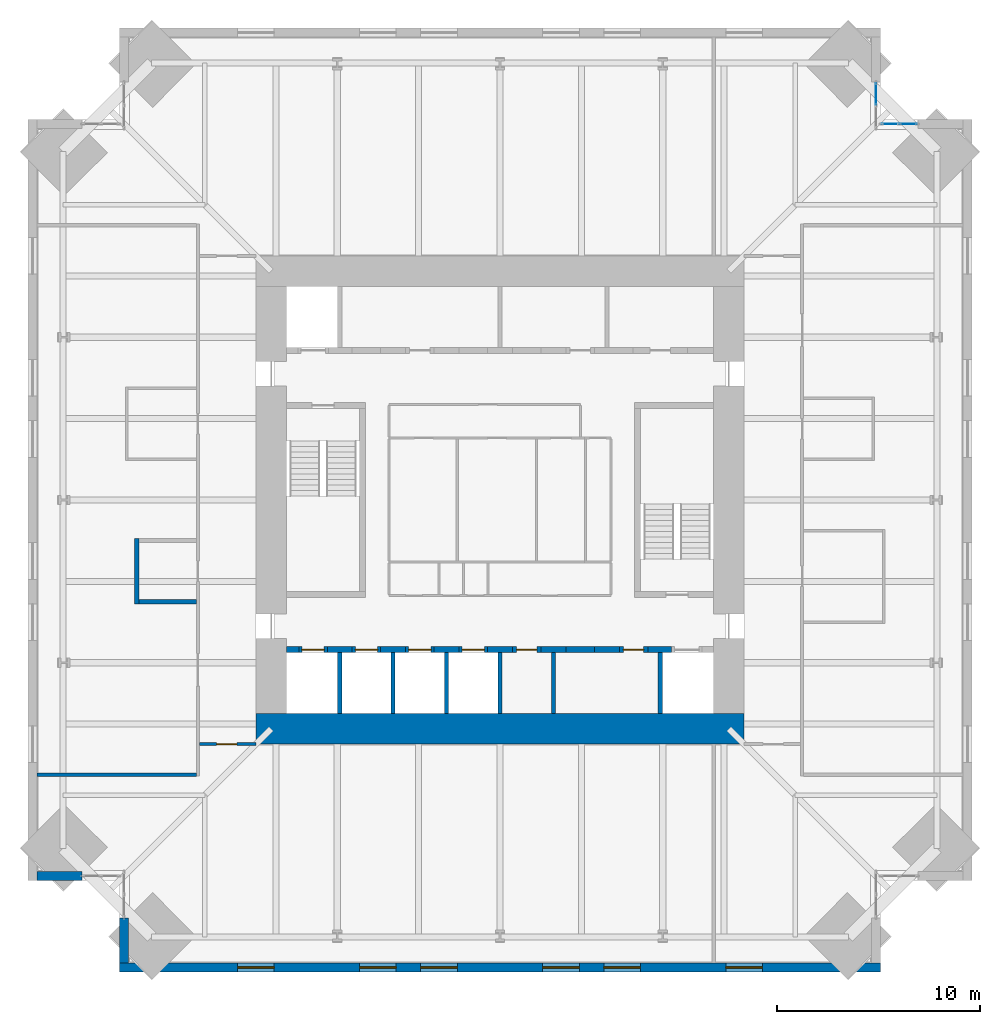
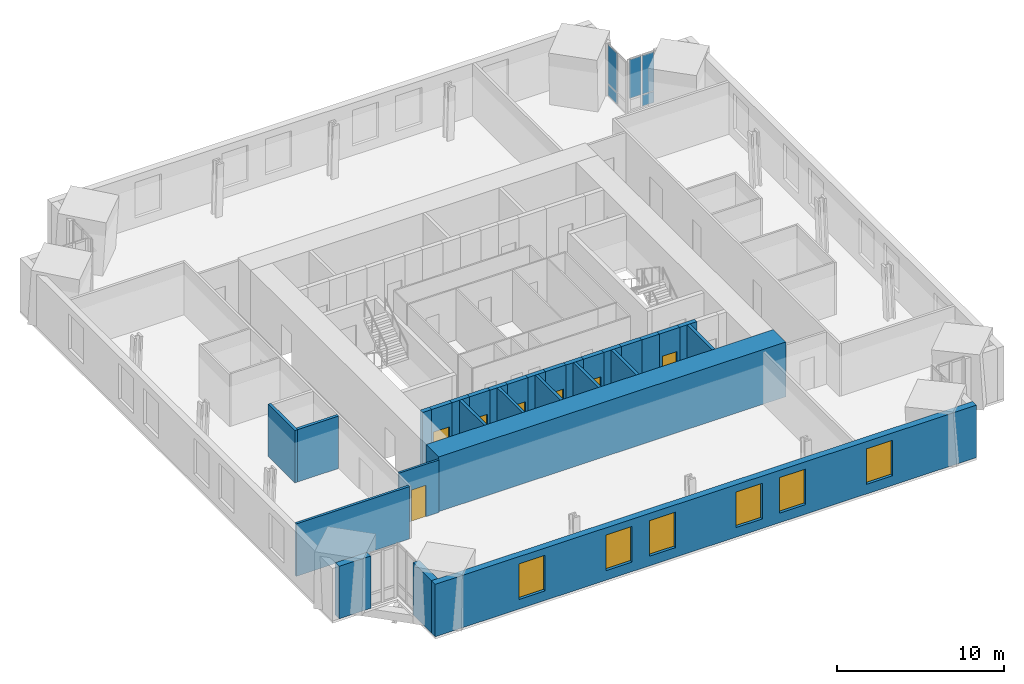
# One storey, part 10 of 15: 29 walls, 7 doors, 6 windows, 5 plates, 13 openings, 2 elements without a shape of their own.
"""IFC4 building model written with IfcOpenShell, lengths in metres."""

import ifcopenshell
import ifcopenshell.guid

model = None  # the IFC model being written
_history = None  # IfcOwnerHistory: only IFC2X3 demands one
_inside = {}  # id of a spatial element -> (the spatial element, [elements in it])
_under = {}  # id of a project, library or spatial element -> (it, [spatial elements below it])
_declared = {}  # id of a project -> (the project, [libraries it declares])
_typed = {}  # id of a type object -> (the type object, [elements of that type])
_made_of = {}  # id of a material, layer set ... -> (it, [elements and type objects made of it])


def new_model(schema):
    """Start an empty IFC model of exactly this schema.

    Asked for "IFC4X3", IfcOpenShell would pick the latest addendum, in which some entities
    have other attributes; the version numbers below select the first issue.
    IFC2X3 requires an IfcOwnerHistory on every rooted entity: one is made here for all.
    """
    global model, _history
    if schema == "IFC4X3":
        model = ifcopenshell.file(schema_version=(4, 3, 0, 0))
    else:
        model = ifcopenshell.file(schema=schema)
    _inside.clear()
    _under.clear()
    _declared.clear()
    _typed.clear()
    _made_of.clear()
    _history = None
    if model.schema == "IFC2X3":
        org = make("IfcOrganization", Name="unknown")
        user = make(
            "IfcPersonAndOrganization",
            ThePerson=make("IfcPerson", FamilyName="unknown"),
            TheOrganization=org,
        )
        app = make(
            "IfcApplication",
            ApplicationDeveloper=org,
            Version="unknown",
            ApplicationFullName="unknown",
            ApplicationIdentifier="unknown",
        )
        _history = make(
            "IfcOwnerHistory",
            OwningUser=user,
            OwningApplication=app,
            ChangeAction="ADDED",
            CreationDate=0,
        )
    return model


def make(cls, **values):
    """One entity of the class cls with the attributes given. An attribute that is None is left unset."""
    return model.create_entity(
        cls, **{name: value for name, value in values.items() if value is not None}
    )


def rooted(cls, **values):
    """An entity with a GlobalId (a new one), such as an element, a storey or a relation."""
    return make(cls, GlobalId=ifcopenshell.guid.new(), OwnerHistory=_history, **values)


def si_unit(unit_type, name, prefix=None):
    """IfcSIUnit, for example si_unit("LENGTHUNIT", "METRE", prefix="MILLI")."""
    return make("IfcSIUnit", UnitType=unit_type, Prefix=prefix, Name=name)


def assignment(units):
    """IfcUnitAssignment: the units of a project."""
    return None if units is None else make("IfcUnitAssignment", Units=units)


def point(xyz):
    """IfcCartesianPoint."""
    return None if xyz is None else make("IfcCartesianPoint", Coordinates=xyz)


def direction(xyz):
    """IfcDirection."""
    return None if xyz is None else make("IfcDirection", DirectionRatios=xyz)


def frame(location, z_axis=None, x_axis=None):
    """IfcAxis2Placement3D, a coordinate frame: its origin and axes. An axis left out is left unset."""
    return make(
        "IfcAxis2Placement3D",
        Location=point(location),
        Axis=direction(z_axis),
        RefDirection=direction(x_axis),
    )


def frame_2d(location, x_axis=None):
    """IfcAxis2Placement2D, a coordinate frame in the plane: its origin and x axis."""
    return make(
        "IfcAxis2Placement2D", Location=point(location), RefDirection=direction(x_axis)
    )


def origin():
    """The frame at (0, 0, 0) with its axes left unset."""
    return frame((0.0, 0.0, 0.0))


def origin_2d():
    """The frame at (0, 0) in the plane with its x axis left unset."""
    return frame_2d((0.0, 0.0))


def place(relative_to, where):
    """IfcLocalPlacement: puts the frame where relative to a parent placement (None: the world)."""
    return make(
        "IfcLocalPlacement", PlacementRelTo=relative_to, RelativePlacement=where
    )


def context(
    kind, dimensions, precision=None, world=None, true_north=None, identifier=None
):
    """IfcGeometricRepresentationContext, for example the 3D "Model" context."""
    return make(
        "IfcGeometricRepresentationContext",
        ContextIdentifier=identifier,
        ContextType=kind,
        CoordinateSpaceDimension=dimensions,
        Precision=precision,
        WorldCoordinateSystem=world,
        TrueNorth=true_north,
    )


def subcontext(parent, identifier, kind, view, scale=None):
    """IfcGeometricRepresentationSubContext, for example "Body" below "Model"."""
    return make(
        "IfcGeometricRepresentationSubContext",
        ContextIdentifier=identifier,
        ContextType=kind,
        ParentContext=parent,
        TargetScale=scale,
        TargetView=view,
    )


def project(units=None, contexts=None):
    """IfcProject with its units and contexts."""
    return rooted(
        "IfcProject",
        Name="project",
        RepresentationContexts=contexts,
        UnitsInContext=assignment(units),
    )


def spatial(cls, under=None, at=None, **own):
    """A site, building, storey or space (cls), placed at a placement, below another one or the project."""
    s = rooted(cls, ObjectPlacement=at, **own)
    if under is not None:
        _under.setdefault(under.id(), (under, []))[1].append(s)
    return s


def profile(cls, at=None, kind="AREA", **sizes):
    """A parametric profile (cls). Its sizes go by their IFC names, for example OverallWidth=200.0."""
    return make(cls, ProfileType=kind, Position=at, **sizes)


def rectangle(**sizes):
    """IfcRectangleProfileDef."""
    return profile("IfcRectangleProfileDef", **sizes)


def extrude(swept, where, along, depth):
    """IfcExtrudedAreaSolid: the profile swept, set in the frame where, extruded along a direction by depth."""
    return make(
        "IfcExtrudedAreaSolid",
        SweptArea=swept,
        Position=where,
        ExtrudedDirection=direction(along),
        Depth=depth,
    )


def shape(context_of_items, identifier, shape_type, items):
    """IfcShapeRepresentation: the items that make up one representation, for example the "Body"."""
    return make(
        "IfcShapeRepresentation",
        ContextOfItems=context_of_items,
        RepresentationIdentifier=identifier,
        RepresentationType=shape_type,
        Items=items,
    )


def material(Name=None, Category=None):
    """IfcMaterial."""
    return make("IfcMaterial", Name=Name, Category=Category)


def layer(
    of_material, thickness, ventilated=None, Name=None, Category=None, Priority=None
):
    """IfcMaterialLayer: one layer of a wall or slab, of a material (None: an air gap)."""
    return make(
        "IfcMaterialLayer",
        Material=of_material,
        LayerThickness=thickness,
        IsVentilated=ventilated,
        Name=Name,
        Category=Category,
        Priority=Priority,
    )


def layer_set(layers, Name=None):
    """IfcMaterialLayerSet."""
    return make("IfcMaterialLayerSet", MaterialLayers=layers, LayerSetName=Name)


def made_of(thing, what):
    """Note that an element or type object is made of a material, layer set ...; save() writes the relation."""
    if what is not None:
        _made_of.setdefault(what.id(), (what, []))[1].append(thing)
    return thing


def type_object(cls, material=None, **own):
    """A type object (cls), such as IfcWallType, which elements share."""
    return made_of(rooted(cls, **own), material)


def element(
    cls,
    number,
    at=None,
    inside=None,
    cuts=None,
    type_object=None,
    material=None,
    context=None,
    identifier="Body",
    shape_type=None,
    held_by="IfcProductDefinitionShape",
    body=None,
    shapes=None,
    **own,
):
    """One element of the class cls, such as IfcWall. Its Tag is "e" and its number.

    at: its placement. inside: the storey or other place that contains it. cuts: it is an
    opening in that element (IfcRelVoidsElement). A single representation is given by context,
    identifier, shape_type and body (its items); several are given by shapes. held_by: the class
    of the entity that holds the representations. save() writes the other relations.
    """
    e = rooted(cls, Tag="e%d" % number, ObjectPlacement=at, **own)
    if body is not None:
        shapes = [shape(context, identifier, shape_type, body)]
    if shapes is not None:
        e.Representation = make(held_by, Representations=shapes)
    if inside is not None:
        _inside.setdefault(inside.id(), (inside, []))[1].append(e)
    if cuts is not None:
        rooted(
            "IfcRelVoidsElement", RelatingBuildingElement=cuts, RelatedOpeningElement=e
        )
    if type_object is not None:
        _typed.setdefault(type_object.id(), (type_object, []))[1].append(e)
    return made_of(e, material)


def fill(opening, filler):
    """IfcRelFillsElement: the door or window that sits in an opening."""
    return rooted(
        "IfcRelFillsElement",
        RelatingOpeningElement=opening,
        RelatedBuildingElement=filler,
    )


def aggregate(whole, parts):
    """IfcRelAggregates: a whole, such as a stair, and the parts it consists of."""
    return rooted("IfcRelAggregates", RelatingObject=whole, RelatedObjects=parts)


def save(model, path):
    """Write the relations noted so far, then the file.

    IfcRelAggregates (storeys below a building ...), IfcRelContainedInSpatialStructure (elements
    in a storey), IfcRelDefinesByType, IfcRelAssociatesMaterial and IfcRelDeclares: one each for
    every whole, place, type object, material and project.
    """
    for whole, parts in _under.values():
        aggregate(whole, parts)
    for where, things in _inside.values():
        rooted(
            "IfcRelContainedInSpatialStructure",
            RelatedElements=things,
            RelatingStructure=where,
        )
    for kind, things in _typed.values():
        rooted("IfcRelDefinesByType", RelatedObjects=things, RelatingType=kind)
    for what, things in _made_of.values():
        rooted("IfcRelAssociatesMaterial", RelatedObjects=things, RelatingMaterial=what)
    for by, libraries in _declared.values():
        rooted("IfcRelDeclares", RelatingContext=by, RelatedDefinitions=libraries)
    model.write(path)


model = new_model("IFC4")

# Units and contexts
model_context = context("Model", 3, precision=1e-05, world=origin(), true_north=direction((0.0, 1.0)))
body_context = subcontext(model_context, "Body", "Model", "MODEL_VIEW")
ifc_project = project(units=[si_unit("LENGTHUNIT", "METRE"), si_unit("AREAUNIT", "SQUARE_METRE"), si_unit("VOLUMEUNIT", "CUBIC_METRE"), si_unit("PLANEANGLEUNIT", "RADIAN"), si_unit("MASSUNIT", "GRAM", prefix="KILO")], contexts=[model_context])

# Site, building, storey
site_placement = place(None, origin())
site = spatial("IfcSite", under=ifc_project, at=site_placement, CompositionType="ELEMENT")
building_placement = place(site_placement, origin())
building = spatial("IfcBuilding", under=site, at=building_placement, Name="Peilmerk Tower", CompositionType="ELEMENT")
storey_placement = place(building_placement, frame((0.0, 0.0, 233.800048828125)))
storey = spatial("IfcBuildingStorey", under=building, at=storey_placement, Name="L51", CompositionType="ELEMENT", Elevation=233.800048828125)

# Curtain wall, plates
ifc_material_1 = material(Name="Aluminium stick curtain wall", Category="aluminium")
curtain_wall_type = type_object("IfcCurtainWallType", Name="CW4 stick curtain wall, 2250 module", PredefinedType="NOTDEFINED", material=ifc_material_1)
curtain_wall_1_placement = place(storey_placement, origin())
curtain_wall_1 = element("IfcCurtainWall", 1, at=curtain_wall_1_placement, inside=storey, type_object=curtain_wall_type, Name="Curtain wall CW4 NEA L51", PredefinedType="NOTDEFINED")
ifc_material_2 = material(Name="Clear insulated glazing unit", Category="glass")
ifc_layer_1 = layer(ifc_material_2, 0.028076171875)
ifc_layer_set_1 = layer_set([ifc_layer_1], Name="Clear insulated glazing unit")
plate_type = type_object("IfcPlateType", Name="CW4-P 28 glazed panel", PredefinedType="CURTAIN_PANEL", material=ifc_layer_set_1)
plate_1_placement = place(storey_placement, frame((18.47509765625, 19.9501953125, 0.06494140625), z_axis=(0.0, 0.0, 1.0), x_axis=(0.0, 1.0, 0.0)))
plate_1 = element("IfcPlate", 2, at=plate_1_placement, type_object=plate_type, Name="CW4 panel 2.1", PredefinedType="CURTAIN_PANEL", context=body_context, shape_type="SweptSolid", body=[
    extrude(rectangle(XDim=1.046875, YDim=0.028076171875, at=origin_2d()), origin(), (0.0, 0.0, 1.0), 0.802490234375),
])
plate_2_placement = place(storey_placement, frame((18.47509765625, 19.9501953125, 0.932373046875), z_axis=(0.0, 0.0, 1.0), x_axis=(0.0, 1.0, 0.0)))
plate_2 = element("IfcPlate", 3, at=plate_2_placement, type_object=plate_type, Name="CW4 panel 2.2", PredefinedType="CURTAIN_PANEL", context=body_context, shape_type="SweptSolid", body=[
    extrude(rectangle(XDim=1.046875, YDim=0.028076171875, at=origin_2d()), origin(), (0.0, 0.0, 1.0), 2.83251953125),
])
aggregate(curtain_wall_1, [plate_1, plate_2])

curtain_wall_2_placement = place(storey_placement, origin())
curtain_wall_2 = element("IfcCurtainWall", 4, at=curtain_wall_2_placement, inside=storey, type_object=curtain_wall_type, Name="Curtain wall CW4 NEB L51", PredefinedType="NOTDEFINED")
plate_3_placement = place(storey_placement, frame((19.176025390625, 18.47509765625, 0.932373046875), z_axis=(0.0, 0.0, 1.0), x_axis=(1.0, 0.0, 0.0)))
plate_3 = element("IfcPlate", 5, at=plate_3_placement, type_object=plate_type, Name="CW4 panel 1.2", PredefinedType="CURTAIN_PANEL", context=body_context, shape_type="SweptSolid", body=[
    extrude(rectangle(XDim=0.82177734375, YDim=0.028076171875, at=origin_2d()), origin(), (0.0, 0.0, 1.0), 2.83251953125),
])
plate_4_placement = place(storey_placement, frame((20.062744140625, 18.47509765625, 0.06494140625), z_axis=(0.0, 0.0, 1.0), x_axis=(1.0, 0.0, 0.0)))
plate_4 = element("IfcPlate", 6, at=plate_4_placement, type_object=plate_type, Name="CW4 panel 2.1", PredefinedType="CURTAIN_PANEL", context=body_context, shape_type="SweptSolid", body=[
    extrude(rectangle(XDim=0.82177734375, YDim=0.028076171875, at=origin_2d()), origin(), (0.0, 0.0, 1.0), 0.802490234375),
])
plate_5_placement = place(storey_placement, frame((20.062744140625, 18.47509765625, 0.932373046875), z_axis=(0.0, 0.0, 1.0), x_axis=(1.0, 0.0, 0.0)))
plate_5 = element("IfcPlate", 7, at=plate_5_placement, type_object=plate_type, Name="CW4 panel 2.2", PredefinedType="CURTAIN_PANEL", context=body_context, shape_type="SweptSolid", body=[
    extrude(rectangle(XDim=0.82177734375, YDim=0.028076171875, at=origin_2d()), origin(), (0.0, 0.0, 1.0), 2.83251953125),
])
aggregate(curtain_wall_2, [plate_3, plate_4, plate_5])

# Wall, openings, windows
ifc_material_3 = material(Name="Precast concrete C45/55, board-marked finish", Category="concrete")
ifc_layer_2 = layer(ifc_material_3, 0.449951171875)
ifc_layer_set_2 = layer_set([ifc_layer_2], Name="Precast concrete C45/55, board-marked finish")
wall_type_1 = type_object("IfcWallType", Name="EW1 450 precast concrete facade wall, board-marked", PredefinedType="SOLIDWALL", material=ifc_layer_set_2)
wall_1_placement = place(storey_placement, frame((-18.699951171875, -22.97509765625, 0.0), z_axis=(0.0, 0.0, 1.0), x_axis=(1.0, 0.0, 0.0)))
wall_1 = element("IfcWall", 8, at=wall_1_placement, inside=storey, type_object=wall_type_1, Name="Facade wall S L51", PredefinedType="SOLIDWALL", context=body_context, shape_type="SweptSolid", body=[
    extrude(rectangle(XDim=37.39990234375, YDim=0.449951171875, at=frame_2d((18.699951171875, 0.0))), origin(), (0.0, 0.0, 1.0), 3.829833984375),
])
opening_1_placement = place(wall_1_placement, frame((5.800048828125, 0.0, 0.699951171875)))
opening_1 = element("IfcOpeningElement", 9, at=opening_1_placement, cuts=wall_1, Name="Opening W1", PredefinedType="OPENING", context=body_context, shape_type="SweptSolid", body=[
    extrude(rectangle(XDim=1.800048828125, YDim=2.60009765625, at=frame_2d((0.89990234375, 1.300048828125))), frame((0.0, 0.23486328125, 0.0), z_axis=(0.0, -1.0, 0.0), x_axis=(1.0, 0.0, 0.0)), (0.0, 0.0, 1.0), 0.469970703125),
])
opening_2_placement = place(wall_1_placement, frame((11.800048828125, 0.0, 0.699951171875)))
opening_2 = element("IfcOpeningElement", 10, at=opening_2_placement, cuts=wall_1, Name="Opening W1", PredefinedType="OPENING", context=body_context, shape_type="SweptSolid", body=[
    extrude(rectangle(XDim=1.800048828125, YDim=2.60009765625, at=frame_2d((0.89990234375, 1.300048828125))), frame((0.0, 0.23486328125, 0.0), z_axis=(0.0, -1.0, 0.0), x_axis=(1.0, 0.0, 0.0)), (0.0, 0.0, 1.0), 0.469970703125),
])
opening_3_placement = place(wall_1_placement, frame((14.800048828125, 0.0, 0.699951171875)))
opening_3 = element("IfcOpeningElement", 11, at=opening_3_placement, cuts=wall_1, Name="Opening W1", PredefinedType="OPENING", context=body_context, shape_type="SweptSolid", body=[
    extrude(rectangle(XDim=1.800048828125, YDim=2.60009765625, at=frame_2d((0.89990234375, 1.300048828125))), frame((0.0, 0.23486328125, 0.0), z_axis=(0.0, -1.0, 0.0), x_axis=(1.0, 0.0, 0.0)), (0.0, 0.0, 1.0), 0.469970703125),
])
opening_4_placement = place(wall_1_placement, frame((20.800048828125, 0.0, 0.699951171875)))
opening_4 = element("IfcOpeningElement", 12, at=opening_4_placement, cuts=wall_1, Name="Opening W1", PredefinedType="OPENING", context=body_context, shape_type="SweptSolid", body=[
    extrude(rectangle(XDim=1.800048828125, YDim=2.60009765625, at=frame_2d((0.89990234375, 1.300048828125))), frame((0.0, 0.23486328125, 0.0), z_axis=(0.0, -1.0, 0.0), x_axis=(1.0, 0.0, 0.0)), (0.0, 0.0, 1.0), 0.469970703125),
])
opening_5_placement = place(wall_1_placement, frame((23.800048828125, 0.0, 0.699951171875)))
opening_5 = element("IfcOpeningElement", 13, at=opening_5_placement, cuts=wall_1, Name="Opening W1", PredefinedType="OPENING", context=body_context, shape_type="SweptSolid", body=[
    extrude(rectangle(XDim=1.800048828125, YDim=2.60009765625, at=frame_2d((0.89990234375, 1.300048828125))), frame((0.0, 0.23486328125, 0.0), z_axis=(0.0, -1.0, 0.0), x_axis=(1.0, 0.0, 0.0)), (0.0, 0.0, 1.0), 0.469970703125),
])
opening_6_placement = place(wall_1_placement, frame((29.800048828125, 0.0, 0.699951171875)))
opening_6 = element("IfcOpeningElement", 14, at=opening_6_placement, cuts=wall_1, Name="Opening W1", PredefinedType="OPENING", context=body_context, shape_type="SweptSolid", body=[
    extrude(rectangle(XDim=1.800048828125, YDim=2.60009765625, at=frame_2d((0.89990234375, 1.300048828125))), frame((0.0, 0.23486328125, 0.0), z_axis=(0.0, -1.0, 0.0), x_axis=(1.0, 0.0, 0.0)), (0.0, 0.0, 1.0), 0.469970703125),
])
ifc_material_4 = material(Name="Aluminium frame, clear double glazing", Category="aluminium")
window_type = type_object("IfcWindowType", Name="W1 1800x2600 office window", PartitioningType="SINGLE_PANEL", PredefinedType="WINDOW", material=ifc_material_4)
window_1_placement = place(opening_1_placement, origin())
window_1 = element("IfcWindow", 15, at=window_1_placement, inside=storey, type_object=window_type, Name="Window W1 L51", OverallHeight=2.60009765625, OverallWidth=1.800048828125, PartitioningType="SINGLE_PANEL", PredefinedType="WINDOW", context=body_context, shape_type="SweptSolid", body=[
    extrude(rectangle(XDim=1.800048828125, YDim=2.60009765625, at=frame_2d((0.89990234375, 1.300048828125))), frame((0.0, 0.030029296875, 0.0), z_axis=(0.0, -1.0, 0.0), x_axis=(1.0, 0.0, 0.0)), (0.0, 0.0, 1.0), 0.06005859375),
])
fill(opening_1, window_1)
window_2_placement = place(opening_2_placement, origin())
window_2 = element("IfcWindow", 16, at=window_2_placement, inside=storey, type_object=window_type, Name="Window W1 L51", OverallHeight=2.60009765625, OverallWidth=1.800048828125, PartitioningType="SINGLE_PANEL", PredefinedType="WINDOW", context=body_context, shape_type="SweptSolid", body=[
    extrude(rectangle(XDim=1.800048828125, YDim=2.60009765625, at=frame_2d((0.89990234375, 1.300048828125))), frame((0.0, 0.030029296875, 0.0), z_axis=(0.0, -1.0, 0.0), x_axis=(1.0, 0.0, 0.0)), (0.0, 0.0, 1.0), 0.06005859375),
])
fill(opening_2, window_2)
window_3_placement = place(opening_3_placement, origin())
window_3 = element("IfcWindow", 17, at=window_3_placement, inside=storey, type_object=window_type, Name="Window W1 L51", OverallHeight=2.60009765625, OverallWidth=1.800048828125, PartitioningType="SINGLE_PANEL", PredefinedType="WINDOW", context=body_context, shape_type="SweptSolid", body=[
    extrude(rectangle(XDim=1.800048828125, YDim=2.60009765625, at=frame_2d((0.89990234375, 1.300048828125))), frame((0.0, 0.030029296875, 0.0), z_axis=(0.0, -1.0, 0.0), x_axis=(1.0, 0.0, 0.0)), (0.0, 0.0, 1.0), 0.06005859375),
])
fill(opening_3, window_3)
window_4_placement = place(opening_4_placement, origin())
window_4 = element("IfcWindow", 18, at=window_4_placement, inside=storey, type_object=window_type, Name="Window W1 L51", OverallHeight=2.60009765625, OverallWidth=1.800048828125, PartitioningType="SINGLE_PANEL", PredefinedType="WINDOW", context=body_context, shape_type="SweptSolid", body=[
    extrude(rectangle(XDim=1.800048828125, YDim=2.60009765625, at=frame_2d((0.89990234375, 1.300048828125))), frame((0.0, 0.030029296875, 0.0), z_axis=(0.0, -1.0, 0.0), x_axis=(1.0, 0.0, 0.0)), (0.0, 0.0, 1.0), 0.06005859375),
])
fill(opening_4, window_4)
window_5_placement = place(opening_5_placement, origin())
window_5 = element("IfcWindow", 19, at=window_5_placement, inside=storey, type_object=window_type, Name="Window W1 L51", OverallHeight=2.60009765625, OverallWidth=1.800048828125, PartitioningType="SINGLE_PANEL", PredefinedType="WINDOW", context=body_context, shape_type="SweptSolid", body=[
    extrude(rectangle(XDim=1.800048828125, YDim=2.60009765625, at=frame_2d((0.89990234375, 1.300048828125))), frame((0.0, 0.030029296875, 0.0), z_axis=(0.0, -1.0, 0.0), x_axis=(1.0, 0.0, 0.0)), (0.0, 0.0, 1.0), 0.06005859375),
])
fill(opening_5, window_5)
window_6_placement = place(opening_6_placement, origin())
window_6 = element("IfcWindow", 20, at=window_6_placement, inside=storey, type_object=window_type, Name="Window W1 L51", OverallHeight=2.60009765625, OverallWidth=1.800048828125, PartitioningType="SINGLE_PANEL", PredefinedType="WINDOW", context=body_context, shape_type="SweptSolid", body=[
    extrude(rectangle(XDim=1.800048828125, YDim=2.60009765625, at=frame_2d((0.89990234375, 1.300048828125))), frame((0.0, 0.030029296875, 0.0), z_axis=(0.0, -1.0, 0.0), x_axis=(1.0, 0.0, 0.0)), (0.0, 0.0, 1.0), 0.06005859375),
])
fill(opening_6, window_6)

# Walls
for number, where, z_axis, x_axis, name in (
    (21, (-18.47509765625, -20.5537109375, 0.0), (0.0, 0.0, 1.0), (0.0, -1.0, 0.0), "Facade wall SWA L51"),
    (22, (-20.5537109375, -18.47509765625, 0.0), (0.0, 0.0, 1.0), (-1.0, 0.0, 0.0), "Facade wall SWB L51"),
):
    element("IfcWall", number, at=place(storey_placement, frame(where, z_axis=z_axis, x_axis=x_axis)), inside=storey, type_object=wall_type_1, Name=name, PredefinedType="SOLIDWALL", context=body_context, shape_type="SweptSolid", body=[
        extrude(rectangle(XDim=2.1962890625, YDim=0.449951171875, at=frame_2d((1.09814453125, 0.0))), origin(), (0.0, 0.0, 1.0), 3.829833984375),
    ])

# Wall, opening, door
ifc_material_5 = material(Name="Calcium silicate block", Category="masonry")
ifc_layer_3 = layer(ifc_material_5, 0.14990234375)
ifc_layer_set_3 = layer_set([ifc_layer_3], Name="Calcium silicate block")
wall_type_2 = type_object("IfcWallType", Name="IW1 150 corridor partition, EI 60", PredefinedType="PARTITIONING", material=ifc_layer_set_3)
wall_2_placement = place(storey_placement, frame((-12.0, -12.0, 0.0), z_axis=(0.0, 0.0, 1.0), x_axis=(-1.0, 0.0, 0.0)))
wall_2 = element("IfcWall", 23, at=wall_2_placement, inside=storey, type_object=wall_type_2, Name="Corridor wall SW L51", PredefinedType="PARTITIONING", context=body_context, shape_type="SweptSolid", body=[
    extrude(rectangle(XDim=2.77490234375, YDim=0.14990234375, at=frame_2d((1.387451171875, 0.0))), origin(), (0.0, 0.0, 1.0), 3.829833984375),
])
opening_7_placement = place(wall_2_placement, frame((0.925048828125, 0.0, 0.0)))
opening_7 = element("IfcOpeningElement", 24, at=opening_7_placement, cuts=wall_2, Name="Opening D1", PredefinedType="OPENING", context=body_context, shape_type="SweptSolid", body=[
    extrude(rectangle(XDim=1.0, YDim=2.300048828125, at=frame_2d((0.5, 1.14990234375))), frame((0.0, 0.0849609375, 0.0), z_axis=(0.0, -1.0, 0.0), x_axis=(1.0, 0.0, 0.0)), (0.0, 0.0, 1.0), 0.169921875),
])
ifc_material_6 = material(Name="Timber door in steel frame", Category="steel")
door_type_1 = type_object("IfcDoorType", Name="D1 1000x2300 room door, EI2 30", OperationType="SINGLE_SWING_LEFT", PredefinedType="DOOR", material=ifc_material_6)
door_1_placement = place(opening_7_placement, origin())
door_1 = element("IfcDoor", 25, at=door_1_placement, inside=storey, type_object=door_type_1, Name="Door Open workspace L51", OperationType="SINGLE_SWING_LEFT", OverallHeight=2.300048828125, OverallWidth=1.0, PredefinedType="DOOR", context=body_context, shape_type="SweptSolid", body=[
    extrude(rectangle(XDim=1.0, YDim=2.300048828125, at=frame_2d((0.5, 1.14990234375))), frame((0.0, 0.02490234375, 0.0), z_axis=(0.0, -1.0, 0.0), x_axis=(1.0, 0.0, 0.0)), (0.0, 0.0, 1.0), 0.050048828125),
])
fill(opening_7, door_1)

# Walls
ifc_layer_4 = layer(ifc_material_5, 0.199951171875)
ifc_layer_set_4 = layer_set([ifc_layer_4], Name="Calcium silicate block")
wall_type_3 = type_object("IfcWallType", Name="IW2 200 room separating wall, EI 120", PredefinedType="PARTITIONING", material=ifc_layer_set_4)
wall_3_placement = place(storey_placement, frame((-17.85009765625, -5.10009765625, 0.0), z_axis=(0.0, 0.0, 1.0), x_axis=(0.0, 1.0, 0.0)))
element("IfcWall", 26, at=wall_3_placement, inside=storey, type_object=wall_type_3, Name="Room separating wall Print room L51", PredefinedType="PARTITIONING", context=body_context, shape_type="SweptSolid", body=[
    extrude(rectangle(XDim=3.2001953125, YDim=0.199951171875, at=frame_2d((1.60009765625, 0.0))), origin(), (0.0, 0.0, 1.0), 3.829833984375),
])
wall_4_placement = place(storey_placement, frame((-14.925048828125, -5.0, 0.0), z_axis=(0.0, 0.0, 1.0), x_axis=(-1.0, 0.0, 0.0)))
element("IfcWall", 27, at=wall_4_placement, inside=storey, type_object=wall_type_3, Name="Room separating wall Print room L51", PredefinedType="PARTITIONING", context=body_context, shape_type="SweptSolid", body=[
    extrude(rectangle(XDim=2.824951171875, YDim=0.199951171875, at=frame_2d((1.41259765625, 0.0))), origin(), (0.0, 0.0, 1.0), 3.829833984375),
])
ifc_layer_5 = layer(ifc_material_5, 0.175048828125)
ifc_layer_set_5 = layer_set([ifc_layer_5], Name="Calcium silicate block")
wall_type_4 = type_object("IfcWallType", Name="IW8 175 tenant separating wall, EI 60", PredefinedType="PARTITIONING", material=ifc_layer_set_5)
wall_5_placement = place(storey_placement, frame((-14.925048828125, -13.5, 0.0), z_axis=(0.0, 0.0, 1.0), x_axis=(-1.0, 0.0, 0.0)))
element("IfcWall", 28, at=wall_5_placement, inside=storey, type_object=wall_type_4, Name="Tenant separating wall SW L51", PredefinedType="PARTITIONING", context=body_context, shape_type="SweptSolid", body=[
    extrude(rectangle(XDim=7.824951171875, YDim=0.175048828125, at=frame_2d((3.91259765625, 0.0))), origin(), (0.0, 0.0, 1.0), 3.829833984375),
])
ifc_layer_6 = layer(ifc_material_5, 0.199951171875)
ifc_layer_set_6 = layer_set([ifc_layer_6], Name="Calcium silicate block")
wall_type_5 = type_object("IfcWallType", Name="SH1 200 shaft dividing wall, EI 120", PredefinedType="PARTITIONING", material=ifc_layer_set_6)
for number, where, z_axis, x_axis, name in (
    (29, (-7.875, -10.5, 0.0), (0.0, 0.0, 1.0), (0.0, 1.0, 0.0), "Shaft wall S C4 L51"),
    (30, (-5.25, -10.5, 0.0), (0.0, 0.0, 1.0), (0.0, 1.0, 0.0), "Shaft wall S C3 L51"),
    (31, (-2.625, -10.5, 0.0), (0.0, 0.0, 1.0), (0.0, 1.0, 0.0), "Shaft wall S C2 L51"),
    (32, (0.0, -10.5, 0.0), (0.0, 0.0, 1.0), (0.0, 1.0, 0.0), "Shaft wall S C1 L51"),
    (33, (2.625, -10.5, 0.0), (0.0, 0.0, 1.0), (0.0, 1.0, 0.0), "Shaft wall S B3 L51"),
    (34, (7.875, -10.5, 0.0), (0.0, 0.0, 1.0), (0.0, 1.0, 0.0), "Shaft wall S B1 L51"),
):
    element("IfcWall", number, at=place(storey_placement, frame(where, z_axis=z_axis, x_axis=x_axis)), inside=storey, type_object=wall_type_5, Name=name, PredefinedType="PARTITIONING", context=body_context, shape_type="SweptSolid", body=[
        extrude(rectangle(XDim=3.0, YDim=0.199951171875, at=frame_2d((1.5, 0.0))), origin(), (0.0, 0.0, 1.0), 4.0),
    ])

# Wall, opening, door
ifc_layer_7 = layer(ifc_material_5, 0.300048828125)
ifc_layer_set_7 = layer_set([ifc_layer_7], Name="Calcium silicate block")
wall_type_6 = type_object("IfcWallType", Name="SH2 300 lift landing door panel, EI 120", PredefinedType="PARTITIONING", material=ifc_layer_set_7)
wall_6_placement = place(storey_placement, frame((-9.887451171875, -7.35009765625, 0.0), z_axis=(0.0, 0.0, 1.0), x_axis=(1.0, 0.0, 0.0)))
wall_6 = element("IfcWall", 35, at=wall_6_placement, inside=storey, type_object=wall_type_6, Name="Lift door panel S C4 L51", PredefinedType="PARTITIONING", context=body_context, shape_type="SweptSolid", body=[
    extrude(rectangle(XDim=1.39990234375, YDim=0.300048828125, at=frame_2d((0.699951171875, 0.0))), origin(), (0.0, 0.0, 1.0), 4.0),
])
opening_8_placement = place(wall_6_placement, frame((0.14990234375, 0.0, 0.0)))
opening_8 = element("IfcOpeningElement", 36, at=opening_8_placement, cuts=wall_6, Name="Opening LD1", PredefinedType="OPENING", context=body_context, shape_type="SweptSolid", body=[
    extrude(rectangle(XDim=1.10009765625, YDim=2.300048828125, at=frame_2d((0.550048828125, 1.14990234375))), frame((0.0, 0.159912109375, 0.0), z_axis=(0.0, -1.0, 0.0), x_axis=(1.0, 0.0, 0.0)), (0.0, 0.0, 1.0), 0.320068359375),
])
ifc_material_7 = material(Name="Stainless steel landing door", Category="steel")
door_type_2 = type_object("IfcDoorType", Name="LD1 1100x2300 lift landing door, sliding, EI2 60", OperationType="SLIDING_TO_LEFT", PredefinedType="DOOR", material=ifc_material_7)
door_2_placement = place(opening_8_placement, origin())
door_2 = element("IfcDoor", 37, at=door_2_placement, inside=storey, type_object=door_type_2, Name="Lift landing door C4 L51", OperationType="SLIDING_TO_LEFT", OverallHeight=2.300048828125, OverallWidth=1.10009765625, PredefinedType="DOOR", context=body_context, shape_type="SweptSolid", body=[
    extrude(rectangle(XDim=1.10009765625, YDim=2.300048828125, at=frame_2d((0.550048828125, 1.14990234375))), frame((0.0, 0.02490234375, 0.0), z_axis=(0.0, -1.0, 0.0), x_axis=(1.0, 0.0, 0.0)), (0.0, 0.0, 1.0), 0.050048828125),
])
fill(opening_8, door_2)

wall_7_placement = place(storey_placement, frame((-7.262451171875, -7.35009765625, 0.0), z_axis=(0.0, 0.0, 1.0), x_axis=(1.0, 0.0, 0.0)))
wall_7 = element("IfcWall", 38, at=wall_7_placement, inside=storey, type_object=wall_type_6, Name="Lift door panel S C3 L51", PredefinedType="PARTITIONING", context=body_context, shape_type="SweptSolid", body=[
    extrude(rectangle(XDim=1.39990234375, YDim=0.300048828125, at=frame_2d((0.699951171875, 0.0))), origin(), (0.0, 0.0, 1.0), 4.0),
])
opening_9_placement = place(wall_7_placement, frame((0.14990234375, 0.0, 0.0)))
opening_9 = element("IfcOpeningElement", 39, at=opening_9_placement, cuts=wall_7, Name="Opening LD1", PredefinedType="OPENING", context=body_context, shape_type="SweptSolid", body=[
    extrude(rectangle(XDim=1.10009765625, YDim=2.300048828125, at=frame_2d((0.550048828125, 1.14990234375))), frame((0.0, 0.159912109375, 0.0), z_axis=(0.0, -1.0, 0.0), x_axis=(1.0, 0.0, 0.0)), (0.0, 0.0, 1.0), 0.320068359375),
])
door_3_placement = place(opening_9_placement, origin())
door_3 = element("IfcDoor", 40, at=door_3_placement, inside=storey, type_object=door_type_2, Name="Lift landing door C3 L51", OperationType="SLIDING_TO_LEFT", OverallHeight=2.300048828125, OverallWidth=1.10009765625, PredefinedType="DOOR", context=body_context, shape_type="SweptSolid", body=[
    extrude(rectangle(XDim=1.10009765625, YDim=2.300048828125, at=frame_2d((0.550048828125, 1.14990234375))), frame((0.0, 0.02490234375, 0.0), z_axis=(0.0, -1.0, 0.0), x_axis=(1.0, 0.0, 0.0)), (0.0, 0.0, 1.0), 0.050048828125),
])
fill(opening_9, door_3)

wall_8_placement = place(storey_placement, frame((-4.637451171875, -7.35009765625, 0.0), z_axis=(0.0, 0.0, 1.0), x_axis=(1.0, 0.0, 0.0)))
wall_8 = element("IfcWall", 41, at=wall_8_placement, inside=storey, type_object=wall_type_6, Name="Lift door panel S C2 L51", PredefinedType="PARTITIONING", context=body_context, shape_type="SweptSolid", body=[
    extrude(rectangle(XDim=1.39990234375, YDim=0.300048828125, at=frame_2d((0.699951171875, 0.0))), origin(), (0.0, 0.0, 1.0), 4.0),
])
opening_10_placement = place(wall_8_placement, frame((0.14990234375, 0.0, 0.0)))
opening_10 = element("IfcOpeningElement", 42, at=opening_10_placement, cuts=wall_8, Name="Opening LD1", PredefinedType="OPENING", context=body_context, shape_type="SweptSolid", body=[
    extrude(rectangle(XDim=1.10009765625, YDim=2.300048828125, at=frame_2d((0.550048828125, 1.14990234375))), frame((0.0, 0.159912109375, 0.0), z_axis=(0.0, -1.0, 0.0), x_axis=(1.0, 0.0, 0.0)), (0.0, 0.0, 1.0), 0.320068359375),
])
door_4_placement = place(opening_10_placement, origin())
door_4 = element("IfcDoor", 43, at=door_4_placement, inside=storey, type_object=door_type_2, Name="Lift landing door C2 L51", OperationType="SLIDING_TO_LEFT", OverallHeight=2.300048828125, OverallWidth=1.10009765625, PredefinedType="DOOR", context=body_context, shape_type="SweptSolid", body=[
    extrude(rectangle(XDim=1.10009765625, YDim=2.300048828125, at=frame_2d((0.550048828125, 1.14990234375))), frame((0.0, 0.02490234375, 0.0), z_axis=(0.0, -1.0, 0.0), x_axis=(1.0, 0.0, 0.0)), (0.0, 0.0, 1.0), 0.050048828125),
])
fill(opening_10, door_4)

wall_9_placement = place(storey_placement, frame((-2.012451171875, -7.35009765625, 0.0), z_axis=(0.0, 0.0, 1.0), x_axis=(1.0, 0.0, 0.0)))
wall_9 = element("IfcWall", 44, at=wall_9_placement, inside=storey, type_object=wall_type_6, Name="Lift door panel S C1 L51", PredefinedType="PARTITIONING", context=body_context, shape_type="SweptSolid", body=[
    extrude(rectangle(XDim=1.39990234375, YDim=0.300048828125, at=frame_2d((0.699951171875, 0.0))), origin(), (0.0, 0.0, 1.0), 4.0),
])
opening_11_placement = place(wall_9_placement, frame((0.14990234375, 0.0, 0.0)))
opening_11 = element("IfcOpeningElement", 45, at=opening_11_placement, cuts=wall_9, Name="Opening LD1", PredefinedType="OPENING", context=body_context, shape_type="SweptSolid", body=[
    extrude(rectangle(XDim=1.10009765625, YDim=2.300048828125, at=frame_2d((0.550048828125, 1.14990234375))), frame((0.0, 0.159912109375, 0.0), z_axis=(0.0, -1.0, 0.0), x_axis=(1.0, 0.0, 0.0)), (0.0, 0.0, 1.0), 0.320068359375),
])
door_5_placement = place(opening_11_placement, origin())
door_5 = element("IfcDoor", 46, at=door_5_placement, inside=storey, type_object=door_type_2, Name="Lift landing door C1 L51", OperationType="SLIDING_TO_LEFT", OverallHeight=2.300048828125, OverallWidth=1.10009765625, PredefinedType="DOOR", context=body_context, shape_type="SweptSolid", body=[
    extrude(rectangle(XDim=1.10009765625, YDim=2.300048828125, at=frame_2d((0.550048828125, 1.14990234375))), frame((0.0, 0.02490234375, 0.0), z_axis=(0.0, -1.0, 0.0), x_axis=(1.0, 0.0, 0.0)), (0.0, 0.0, 1.0), 0.050048828125),
])
fill(opening_11, door_5)

wall_10_placement = place(storey_placement, frame((0.612548828125, -7.35009765625, 0.0), z_axis=(0.0, 0.0, 1.0), x_axis=(1.0, 0.0, 0.0)))
wall_10 = element("IfcWall", 47, at=wall_10_placement, inside=storey, type_object=wall_type_6, Name="Lift door panel S B3 L51", PredefinedType="PARTITIONING", context=body_context, shape_type="SweptSolid", body=[
    extrude(rectangle(XDim=1.39990234375, YDim=0.300048828125, at=frame_2d((0.699951171875, 0.0))), origin(), (0.0, 0.0, 1.0), 4.0),
])
opening_12_placement = place(wall_10_placement, frame((0.199951171875, 0.0, 0.0)))
opening_12 = element("IfcOpeningElement", 48, at=opening_12_placement, cuts=wall_10, Name="Opening D10", PredefinedType="OPENING", context=body_context, shape_type="SweptSolid", body=[
    extrude(rectangle(XDim=1.0, YDim=2.300048828125, at=frame_2d((0.5, 1.14990234375))), frame((0.0, 0.159912109375, 0.0), z_axis=(0.0, -1.0, 0.0), x_axis=(1.0, 0.0, 0.0)), (0.0, 0.0, 1.0), 0.320068359375),
])
ifc_material_8 = material(Name="Steel door in steel frame", Category="steel")
door_type_3 = type_object("IfcDoorType", Name="D10 1000x2300 core room door, EI2 60", OperationType="SINGLE_SWING_RIGHT", PredefinedType="DOOR", material=ifc_material_8)
door_6_placement = place(opening_12_placement, frame((1.0, 0.0, 0.0), z_axis=(0.0, 0.0, 1.0), x_axis=(-1.0, 0.0, 0.0)))
door_6 = element("IfcDoor", 49, at=door_6_placement, inside=storey, type_object=door_type_3, Name="Door Electrical room L51", OperationType="SINGLE_SWING_RIGHT", OverallHeight=2.300048828125, OverallWidth=1.0, PredefinedType="DOOR", context=body_context, shape_type="SweptSolid", body=[
    extrude(rectangle(XDim=1.0, YDim=2.300048828125, at=frame_2d((0.5, 1.14990234375))), frame((0.0, 0.02490234375, 0.0), z_axis=(0.0, -1.0, 0.0), x_axis=(1.0, 0.0, 0.0)), (0.0, 0.0, 1.0), 0.050048828125),
])
fill(opening_12, door_6)

# Wall
wall_11_placement = place(storey_placement, frame((3.237548828125, -7.35009765625, 0.0), z_axis=(0.0, 0.0, 1.0), x_axis=(1.0, 0.0, 0.0)))
element("IfcWall", 50, at=wall_11_placement, inside=storey, type_object=wall_type_6, Name="Lift door panel S B2 L51", PredefinedType="PARTITIONING", context=body_context, shape_type="SweptSolid", body=[
    extrude(rectangle(XDim=1.39990234375, YDim=0.300048828125, at=frame_2d((0.699951171875, 0.0))), origin(), (0.0, 0.0, 1.0), 4.0),
])

# Wall, opening, door
wall_12_placement = place(storey_placement, frame((5.862548828125, -7.35009765625, 0.0), z_axis=(0.0, 0.0, 1.0), x_axis=(1.0, 0.0, 0.0)))
wall_12 = element("IfcWall", 51, at=wall_12_placement, inside=storey, type_object=wall_type_6, Name="Lift door panel S B1 L51", PredefinedType="PARTITIONING", context=body_context, shape_type="SweptSolid", body=[
    extrude(rectangle(XDim=1.39990234375, YDim=0.300048828125, at=frame_2d((0.699951171875, 0.0))), origin(), (0.0, 0.0, 1.0), 4.0),
])
opening_13_placement = place(wall_12_placement, frame((0.199951171875, 0.0, 0.0)))
opening_13 = element("IfcOpeningElement", 52, at=opening_13_placement, cuts=wall_12, Name="Opening D10", PredefinedType="OPENING", context=body_context, shape_type="SweptSolid", body=[
    extrude(rectangle(XDim=1.0, YDim=2.300048828125, at=frame_2d((0.5, 1.14990234375))), frame((0.0, 0.159912109375, 0.0), z_axis=(0.0, -1.0, 0.0), x_axis=(1.0, 0.0, 0.0)), (0.0, 0.0, 1.0), 0.320068359375),
])
door_7_placement = place(opening_13_placement, frame((1.0, 0.0, 0.0), z_axis=(0.0, 0.0, 1.0), x_axis=(-1.0, 0.0, 0.0)))
door_7 = element("IfcDoor", 53, at=door_7_placement, inside=storey, type_object=door_type_3, Name="Door First aid room L51", OperationType="SINGLE_SWING_RIGHT", OverallHeight=2.300048828125, OverallWidth=1.0, PredefinedType="DOOR", context=body_context, shape_type="SweptSolid", body=[
    extrude(rectangle(XDim=1.0, YDim=2.300048828125, at=frame_2d((0.5, 1.14990234375))), frame((0.0, 0.02490234375, 0.0), z_axis=(0.0, -1.0, 0.0), x_axis=(1.0, 0.0, 0.0)), (0.0, 0.0, 1.0), 0.050048828125),
])
fill(opening_13, door_7)

# Walls
ifc_material_9 = material(Name="Concrete C55/67", Category="concrete")
ifc_layer_8 = layer(ifc_material_9, 1.5)
ifc_layer_set_8 = layer_set([ifc_layer_8], Name="Concrete C55/67")
wall_type_7 = type_object("IfcWallType", Name="SW1 1500 core wall", PredefinedType="SHEAR", material=ifc_layer_set_8)
wall_13_placement = place(storey_placement, frame((12.0, -11.25, 0.0), z_axis=(0.0, 0.0, 1.0), x_axis=(-1.0, 0.0, 0.0)))
element("IfcWall", 54, at=wall_13_placement, inside=storey, type_object=wall_type_7, Name="Core wall S L51", PredefinedType="SHEAR", context=body_context, shape_type="SweptSolid", body=[
    extrude(rectangle(XDim=24.0, YDim=1.5, at=frame_2d((12.0, 0.0))), origin(), (0.0, 0.0, 1.0), 4.0),
])
ifc_layer_9 = layer(ifc_material_9, 0.300048828125)
ifc_layer_set_9 = layer_set([ifc_layer_9], Name="Concrete C55/67")
wall_type_8 = type_object("IfcWallType", Name="SW2 300 lift bank pier", PredefinedType="SHEAR", material=ifc_layer_set_9)
wall_14_placement = place(storey_placement, frame((-10.5, -7.35009765625, 0.0), z_axis=(0.0, 0.0, 1.0), x_axis=(1.0, 0.0, 0.0)))
element("IfcWall", 55, at=wall_14_placement, inside=storey, type_object=wall_type_8, Name="Lift bank pier S L51", PredefinedType="SHEAR", context=body_context, shape_type="SweptSolid", body=[
    extrude(rectangle(XDim=0.612548828125, YDim=0.300048828125, at=frame_2d((0.30615234375, 0.0))), origin(), (0.0, 0.0, 1.0), 4.0),
])
for number, where, z_axis, x_axis, name in (
    (56, (-8.487548828125, -7.35009765625, 0.0), (0.0, 0.0, 1.0), (1.0, 0.0, 0.0), "Lift bank pier S L51"),
    (57, (-5.862548828125, -7.35009765625, 0.0), (0.0, 0.0, 1.0), (1.0, 0.0, 0.0), "Lift bank pier S L51"),
    (58, (-3.237548828125, -7.35009765625, 0.0), (0.0, 0.0, 1.0), (1.0, 0.0, 0.0), "Lift bank pier S L51"),
    (59, (-0.612548828125, -7.35009765625, 0.0), (0.0, 0.0, 1.0), (1.0, 0.0, 0.0), "Lift bank pier S L51"),
    (60, (2.012451171875, -7.35009765625, 0.0), (0.0, 0.0, 1.0), (1.0, 0.0, 0.0), "Lift bank pier S L51"),
    (61, (4.637451171875, -7.35009765625, 0.0), (0.0, 0.0, 1.0), (1.0, 0.0, 0.0), "Lift bank pier S L51"),
):
    element("IfcWall", number, at=place(storey_placement, frame(where, z_axis=z_axis, x_axis=x_axis)), inside=storey, type_object=wall_type_8, Name=name, PredefinedType="SHEAR", context=body_context, shape_type="SweptSolid", body=[
        extrude(rectangle(XDim=1.22509765625, YDim=0.300048828125, at=frame_2d((0.612548828125, 0.0))), origin(), (0.0, 0.0, 1.0), 4.0),
    ])
wall_15_placement = place(storey_placement, frame((7.262451171875, -7.35009765625, 0.0), z_axis=(0.0, 0.0, 1.0), x_axis=(1.0, 0.0, 0.0)))
element("IfcWall", 62, at=wall_15_placement, inside=storey, type_object=wall_type_8, Name="Lift bank pier S L51", PredefinedType="SHEAR", context=body_context, shape_type="SweptSolid", body=[
    extrude(rectangle(XDim=1.175048828125, YDim=0.300048828125, at=frame_2d((0.58740234375, 0.0))), origin(), (0.0, 0.0, 1.0), 4.0),
])

save(model, "model.ifc")
